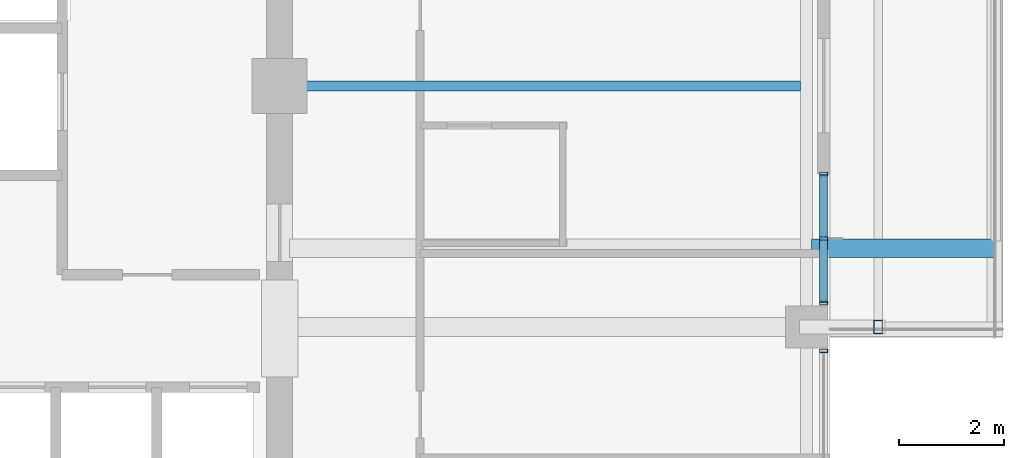
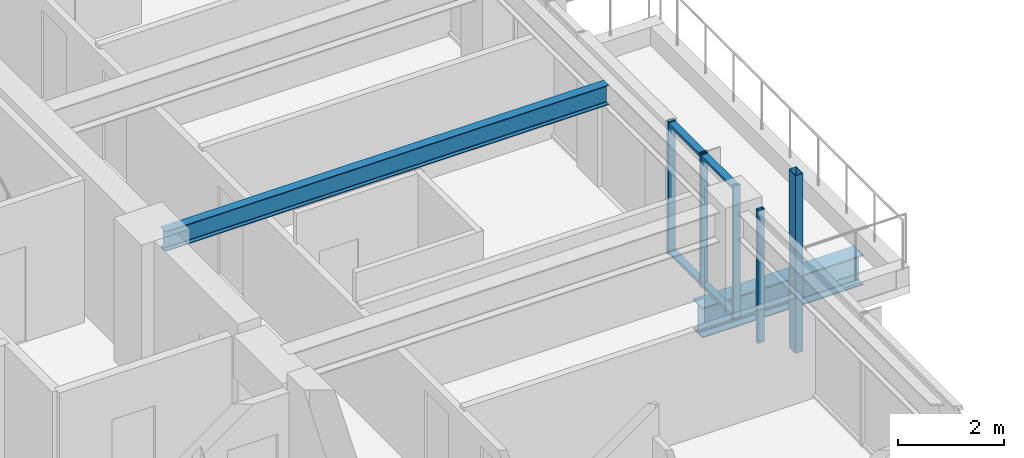
# One storey, part 14 of 38: 7 members, 2 beams, 2 elements without a shape of their own.
"""IFC4 building model written with IfcOpenShell, lengths in metres."""

from ifc_helpers import new_model, si_unit, direction, frame, origin, origin_2d, place, context, subcontext, project, spatial, hollow_rectangle, i_section, extrude, material, material_profile, profile_set, type_object, element, aggregate, save


model = new_model("IFC4")

# Units and contexts
model_context = context("Model", 3, precision=1e-05, world=origin(), true_north=direction((0.0, 1.0)))
body_context = subcontext(model_context, "Body", "Model", "MODEL_VIEW")
ifc_project = project(units=[si_unit("LENGTHUNIT", "METRE"), si_unit("AREAUNIT", "SQUARE_METRE"), si_unit("VOLUMEUNIT", "CUBIC_METRE"), si_unit("PLANEANGLEUNIT", "RADIAN"), si_unit("MASSUNIT", "GRAM", prefix="KILO")], contexts=[model_context])

# Site, building, storey
site_placement = place(None, origin())
site = spatial("IfcSite", under=ifc_project, at=site_placement, CompositionType="ELEMENT")
building_placement = place(site_placement, origin())
building = spatial("IfcBuilding", under=site, at=building_placement, Name="Kolvaren Belvedere", CompositionType="ELEMENT")
storey_placement = place(building_placement, frame((0.0, 0.0, 206.39990234375)))
storey = spatial("IfcBuildingStorey", under=building, at=storey_placement, Name="L60", CompositionType="ELEMENT", Elevation=206.39990234375)

# Beams
ifc_material_1 = material(Name="Structural steel ASTM A992 Grade 50", Category="steel")
ifc_material_profile_1 = material_profile(ifc_material_1, i_section(OverallWidth=0.35498046875, OverallDepth=0.696044921875, WebThickness=0.015380859375, FlangeThickness=0.02490234375, FilletRadius=0.02197265625, at=origin_2d()), Name="W27X146")
ifc_profile_set_1 = profile_set([ifc_material_profile_1], Name="Structural steel ASTM A992 Grade 50")
beam_type_1 = type_object("IfcBeamType", Name="BM-CANT-BAL", PredefinedType="BEAM", material=ifc_profile_set_1)
beam_1_placement = place(storey_placement, frame((20.044921875, -3.10009765625, -0.56787109375), z_axis=(1.0, 0.0, 0.0), x_axis=(0.0, 1.0, 0.0)))
element("IfcBeam", 1, at=beam_1_placement, inside=storey, type_object=beam_type_1, Name="L60 Planted Balcony Cantilever SPIRAL-09-E-1", PredefinedType="BEAM", context=body_context, shape_type="SweptSolid", body=[
    extrude(i_section(OverallWidth=0.35498046875, OverallDepth=0.696044921875, WebThickness=0.015380859375, FlangeThickness=0.02490234375, FilletRadius=0.02197265625, at=origin_2d()), origin(), (0.0, 0.0, 1.0), 3.51513671875),
])
ifc_material_2 = material(Name="Structural steel ASTM A992 Grade 50", Category="steel")
ifc_material_profile_2 = material_profile(ifc_material_2, i_section(OverallWidth=0.19091796875, OverallDepth=0.4599609375, WebThickness=0.010009765625, FlangeThickness=0.01611328125, FilletRadius=0.014892578125, at=origin_2d()), Name="W18X55")
ifc_profile_set_2 = profile_set([ifc_material_profile_2], Name="Structural steel ASTM A992 Grade 50")
beam_type_2 = type_object("IfcBeamType", Name="BM-JOIST-W18X55", PredefinedType="BEAM", material=ifc_profile_set_2)
beam_2_placement = place(storey_placement, frame((10.14990234375, 0.0, 2.85009765625), z_axis=(1.0, 0.0, 0.0), x_axis=(0.0, 1.0, 0.0)))
element("IfcBeam", 2, at=beam_2_placement, inside=storey, type_object=beam_type_2, Name="L60 East Centre Floor Beam", PredefinedType="BEAM", context=body_context, shape_type="SweptSolid", body=[
    extrude(i_section(OverallWidth=0.19091796875, OverallDepth=0.4599609375, WebThickness=0.010009765625, FlangeThickness=0.01611328125, FilletRadius=0.014892578125, at=origin_2d()), origin(), (0.0, 0.0, 1.0), 9.685546875),
])

# Curtain wall, members
ifc_material_3 = material(Name="Anodised pale-metal aluminium AA 6063-T6", Category="aluminium")
curtain_wall_type = type_object("IfcCurtainWallType", Name="CW-Z5-HIGH", PredefinedType="NOTDEFINED", material=ifc_material_3)
curtain_wall_1_placement = place(storey_placement, origin())
curtain_wall_1 = element("IfcCurtainWall", 3, at=curtain_wall_1_placement, inside=storey, type_object=curtain_wall_type, Name="L60 Unitised Curtain Wall FCW-L60-E2-B1", PredefinedType="NOTDEFINED")
ifc_material_4 = material(Name="Anodised pale-metal aluminium AA 6063-T6", Category="aluminium")
ifc_material_profile_3 = material_profile(ifc_material_4, hollow_rectangle(XDim=0.070068359375, YDim=0.14990234375, WallThickness=0.004150390625, at=origin_2d()), Name="ALU-MUL-150X70")
ifc_profile_set_3 = profile_set([ifc_material_profile_3], Name="Anodised pale-metal aluminium AA 6063-T6")
member_type_1 = type_object("IfcMemberType", Name="CW-MUL-150", PredefinedType="MULLION", material=ifc_profile_set_3)
member_1_placement = place(storey_placement, frame((20.280029296875, -1.679931640625, 0.0), z_axis=(0.0, 0.0, 1.0), x_axis=(0.0, 1.0, 0.0)))
member_1 = element("IfcMember", 4, at=member_1_placement, type_object=member_type_1, Name="FCW-L60-E2-B1 Unitised Mullion 1", PredefinedType="MULLION", context=body_context, shape_type="SweptSolid", body=[
    extrude(hollow_rectangle(XDim=0.070068359375, YDim=0.14990234375, WallThickness=0.004150390625, at=origin_2d()), origin(), (0.0, 0.0, 1.0), 3.080078125),
])
member_2_placement = place(storey_placement, frame((20.280029296875, -2.91259765625, 0.0), z_axis=(0.0, 0.0, 1.0), x_axis=(0.0, 1.0, 0.0)))
member_2 = element("IfcMember", 5, at=member_2_placement, type_object=member_type_1, Name="FCW-L60-E2-B1 Unitised Mullion 2", PredefinedType="MULLION", context=body_context, shape_type="SweptSolid", body=[
    extrude(hollow_rectangle(XDim=0.070068359375, YDim=0.14990234375, WallThickness=0.004150390625, at=origin_2d()), origin(), (0.0, 0.0, 1.0), 3.080078125),
])
member_3_placement = place(storey_placement, frame((20.280029296875, -4.14501953125, 0.0), z_axis=(0.0, 0.0, 1.0), x_axis=(0.0, 1.0, 0.0)))
member_3 = element("IfcMember", 6, at=member_3_placement, type_object=member_type_1, Name="FCW-L60-E2-B1 Unitised Mullion 3", PredefinedType="MULLION", context=body_context, shape_type="SweptSolid", body=[
    extrude(hollow_rectangle(XDim=0.070068359375, YDim=0.14990234375, WallThickness=0.004150390625, at=origin_2d()), origin(), (0.0, 0.0, 1.0), 3.080078125),
])

# Curtain wall, member
curtain_wall_2_placement = place(storey_placement, origin())
curtain_wall_2 = element("IfcCurtainWall", 7, at=curtain_wall_2_placement, inside=storey, type_object=curtain_wall_type, Name="L60 Unitised Curtain Wall FCW-L60-E2-B2", PredefinedType="NOTDEFINED")
member_4_placement = place(storey_placement, frame((20.280029296875, -5.054931640625, 0.0), z_axis=(0.0, 0.0, 1.0), x_axis=(0.0, 1.0, 0.0)))
member_4 = element("IfcMember", 8, at=member_4_placement, type_object=member_type_1, Name="FCW-L60-E2-B2 Unitised Mullion 1", PredefinedType="MULLION", context=body_context, shape_type="SweptSolid", body=[
    extrude(hollow_rectangle(XDim=0.070068359375, YDim=0.14990234375, WallThickness=0.004150390625, at=origin_2d()), origin(), (0.0, 0.0, 1.0), 3.080078125),
])
aggregate(curtain_wall_2, [member_4])

# Member
ifc_material_5 = material(Name="Anodised pale-metal aluminium AA 6063-T6", Category="aluminium")
ifc_material_profile_4 = material_profile(ifc_material_5, hollow_rectangle(XDim=0.06494140625, YDim=0.14990234375, WallThickness=0.00390625, at=origin_2d()), Name="ALU-TRN-150X65")
ifc_profile_set_4 = profile_set([ifc_material_profile_4], Name="Anodised pale-metal aluminium AA 6063-T6")
member_type_2 = type_object("IfcMemberType", Name="CW-TRN-150", PredefinedType="USERDEFINED", material=ifc_profile_set_4)
member_5_placement = place(storey_placement, frame((20.280029296875, -1.679931640625, 0.06005859375), z_axis=(0.0, -1.0, 0.0), x_axis=(0.0, 0.0, 1.0)))
member_5 = element("IfcMember", 9, at=member_5_placement, type_object=member_type_2, Name="FCW-L60-E2-B1 Sill Transom", ObjectType="TRANSOM", PredefinedType="USERDEFINED", context=body_context, shape_type="SweptSolid", body=[
    extrude(hollow_rectangle(XDim=0.06494140625, YDim=0.14990234375, WallThickness=0.00390625, at=origin_2d()), origin(), (0.0, 0.0, 1.0), 2.465087890625),
])

member_6_placement = place(storey_placement, frame((20.280029296875, -1.679931640625, 3.02001953125), z_axis=(0.0, -1.0, 0.0), x_axis=(0.0, 0.0, 1.0)))
member_6 = element("IfcMember", 10, at=member_6_placement, type_object=member_type_2, Name="FCW-L60-E2-B1 Head Transom", ObjectType="TRANSOM", PredefinedType="USERDEFINED", context=body_context, shape_type="SweptSolid", body=[
    extrude(hollow_rectangle(XDim=0.06494140625, YDim=0.14990234375, WallThickness=0.00390625, at=origin_2d()), origin(), (0.0, 0.0, 1.0), 2.465087890625),
])

aggregate(curtain_wall_1, [member_1, member_2, member_3, member_5, member_6])

ifc_material_6 = material(Name="Anodised pale-metal aluminium AA 6063-T6", Category="aluminium")
ifc_material_profile_5 = material_profile(ifc_material_6, hollow_rectangle(XDim=0.159912109375, YDim=0.260009765625, WallThickness=0.006591796875, at=origin_2d()), Name="ALU-PF-260X160")
ifc_profile_set_5 = profile_set([ifc_material_profile_5], Name="Anodised pale-metal aluminium AA 6063-T6")
member_type_3 = type_object("IfcMemberType", Name="PF-FRAME-260", PredefinedType="USERDEFINED", material=ifc_profile_set_5)
member_7_placement = place(storey_placement, frame((21.320068359375, -4.60009765625, -0.809814453125), z_axis=(0.0, 0.0, 1.0), x_axis=(1.0, 0.0, 0.0)))
element("IfcMember", 11, at=member_7_placement, inside=storey, type_object=member_type_3, Name="L60 Outboard Picture-Frame Vertical E2", ObjectType="PICTURE FRAME FIN", PredefinedType="USERDEFINED", context=body_context, shape_type="SweptSolid", body=[
    extrude(hollow_rectangle(XDim=0.159912109375, YDim=0.260009765625, WallThickness=0.006591796875, at=origin_2d()), origin(), (0.0, 0.0, 1.0), 4.10986328125),
])

save(model, "model.ifc")
